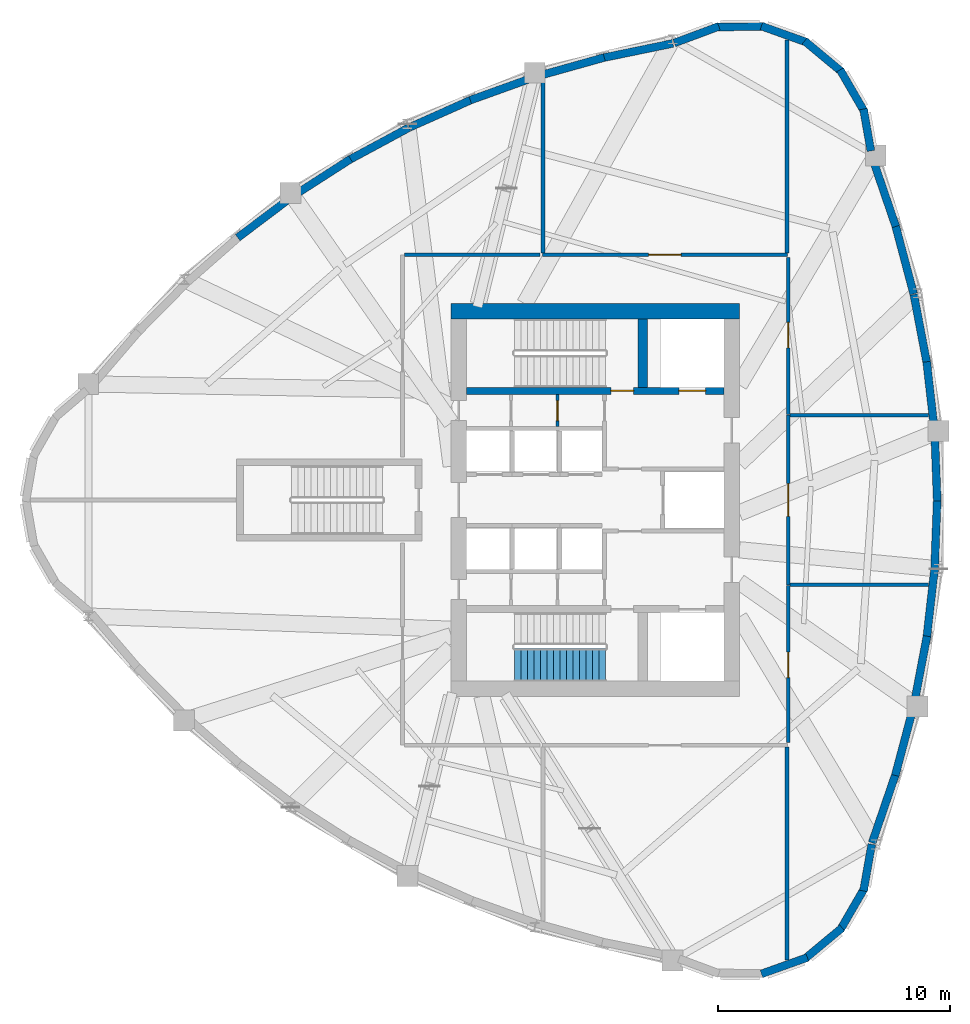
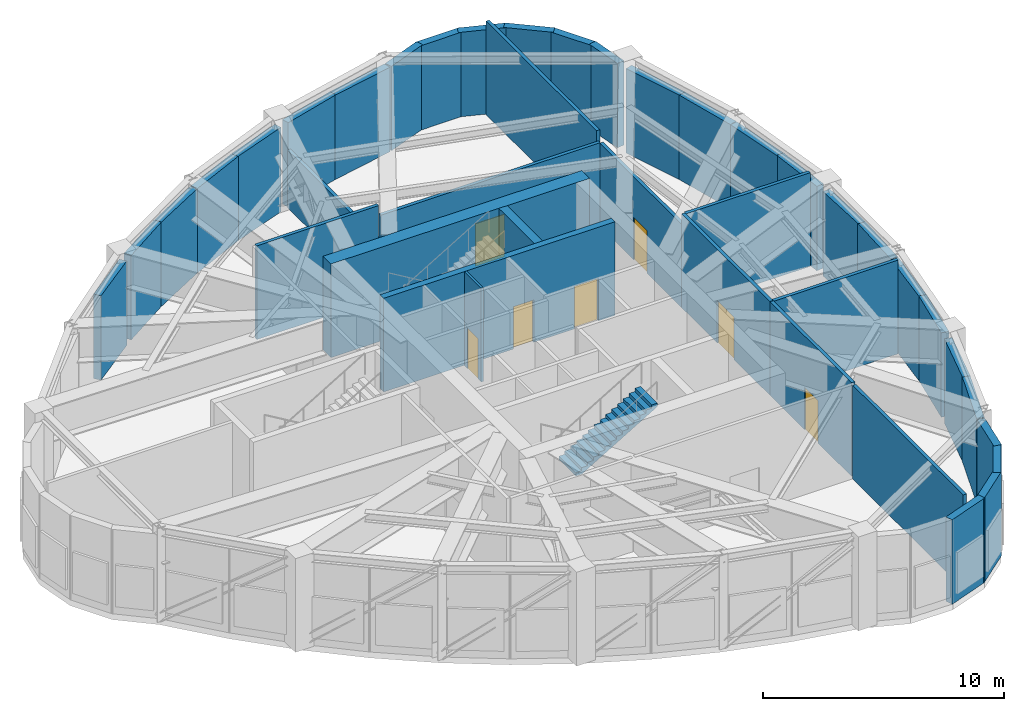
# One storey, part 5 of 9: 41 walls, 7 doors, 1 stair flight, 7 openings, 1 element without a shape of its own.
"""IFC4 building model written with IfcOpenShell, lengths in metres."""

from ifc_helpers import new_model, si_unit, direction, frame, frame_2d, origin, place, context, subcontext, project, spatial, polyline, rectangle, outline, extrude, source, transform, mapped, material, layer, layer_set, type_object, element, fill, aggregate, save


model = new_model("IFC4")

# Units and contexts
model_context = context("Model", 3, precision=1e-05, world=origin(), true_north=direction((0.0, 1.0)))
body_context = subcontext(model_context, "Body", "Model", "MODEL_VIEW")
ifc_project = project(units=[si_unit("LENGTHUNIT", "METRE"), si_unit("AREAUNIT", "SQUARE_METRE"), si_unit("VOLUMEUNIT", "CUBIC_METRE"), si_unit("PLANEANGLEUNIT", "RADIAN"), si_unit("MASSUNIT", "GRAM", prefix="KILO")], contexts=[model_context])

# Site, building, storey
site_placement = place(None, origin())
site = spatial("IfcSite", under=ifc_project, at=site_placement, CompositionType="ELEMENT")
building_placement = place(site_placement, origin())
building = spatial("IfcBuilding", under=site, at=building_placement, Name="Qafzar Sky-Pleat Residences", CompositionType="ELEMENT")
storey_placement = place(building_placement, frame((0.0, 0.0, 128.0)))
storey = spatial("IfcBuildingStorey", under=building, at=storey_placement, Name="L38", CompositionType="ELEMENT", Elevation=128.0)

# Wall, opening, door
ifc_material_1 = material(Name="Acoustic gypsum plasterboard partition", Category="gypsum")
ifc_layer_1 = layer(ifc_material_1, 0.159912109375)
ifc_layer_set_1 = layer_set([ifc_layer_1], Name="Acoustic gypsum plasterboard partition")
wall_type_1 = type_object("IfcWallType", Name="PART-COR-160", PredefinedType="PARTITIONING", material=ifc_layer_set_1)
wall_1_placement = place(storey_placement, frame((28.0849609375, 36.550048828125, 0.0), z_axis=(0.0, 0.0, 1.0), x_axis=(1.0, 0.0, 0.0)))
wall_1 = element("IfcWall", 1, at=wall_1_placement, inside=storey, type_object=wall_type_1, Name="L38 Partition Wall PART-L38-PW-001", PredefinedType="PARTITIONING", context=body_context, shape_type="SweptSolid", body=[
    extrude(rectangle(XDim=10.530029296875, YDim=0.159912109375, at=frame_2d((5.26513671875, 0.0))), origin(), (0.0, 0.0, 1.0), 4.218017578125),
])
opening_1_placement = place(wall_1_placement, frame((4.56494140625, 0.0, 0.0)))
opening_1 = element("IfcOpeningElement", 2, at=opening_1_placement, cuts=wall_1, Name="Opening ID-10", PredefinedType="OPENING", context=body_context, shape_type="SweptSolid", body=[
    extrude(rectangle(XDim=1.39990234375, YDim=2.14990234375, at=frame_2d((0.699951171875, 1.074951171875))), frame((0.0, 0.08984375, 0.0), z_axis=(0.0, -1.0, 0.0), x_axis=(1.0, 0.0, 0.0)), (0.0, 0.0, 1.0), 0.179931640625),
])
ifc_material_2 = material(Name="Timber-faced fire door", Category="wood")
door_type_1 = type_object("IfcDoorType", Name="DR-PLANT-1400", OperationType="DOUBLE_DOOR_SINGLE_SWING", PredefinedType="DOOR", material=ifc_material_2)
shared_shape_1 = source(origin(), body_context, "Body", "SweptSolid", [
    extrude(rectangle(XDim=1.39990234375, YDim=2.14990234375, at=frame_2d((0.699951171875, 1.074951171875))), frame((0.0, 0.02490234375, 0.0), z_axis=(0.0, -1.0, 0.0), x_axis=(1.0, 0.0, 0.0)), (0.0, 0.0, 1.0), 0.050048828125),
])
door_1_placement = place(opening_1_placement, origin())
door_1 = element("IfcDoor", 3, at=door_1_placement, inside=storey, type_object=door_type_1, Name="L38 Domestic Booster and Fire Pump Plant Room Door", OperationType="DOUBLE_DOOR_SINGLE_SWING", OverallHeight=2.14990234375, OverallWidth=1.39990234375, PredefinedType="DOOR", context=body_context, shape_type="MappedRepresentation", body=[
    mapped(shared_shape_1, transform((0.0, 0.0, 0.0), x_axis=(1.0, 0.0, 0.0), y_axis=(0.0, 1.0, 0.0), z_axis=(0.0, 0.0, 1.0), scale=1.0)),
])
fill(opening_1, door_1)

wall_2_placement = place(storey_placement, frame((38.64990234375, 29.6650390625, 0.0), z_axis=(0.0, 0.0, 1.0), x_axis=(0.0, -1.0, 0.0)))
wall_2 = element("IfcWall", 4, at=wall_2_placement, inside=storey, type_object=wall_type_1, Name="L38 Partition Wall PART-L38-PW-005", PredefinedType="PARTITIONING", context=body_context, shape_type="SweptSolid", body=[
    extrude(rectangle(XDim=7.330078125, YDim=0.159912109375, at=frame_2d((3.6650390625, 0.0))), origin(), (0.0, 0.0, 1.0), 4.75),
])
opening_2_placement = place(wall_2_placement, frame((2.965087890625, 0.0, 0.0)))
opening_2 = element("IfcOpeningElement", 5, at=opening_2_placement, cuts=wall_2, Name="Opening ID-10", PredefinedType="OPENING", context=body_context, shape_type="SweptSolid", body=[
    extrude(rectangle(XDim=1.39990234375, YDim=2.14990234375, at=frame_2d((0.699951171875, 1.074951171875))), frame((0.0, 0.08984375, 0.0), z_axis=(0.0, -1.0, 0.0), x_axis=(1.0, 0.0, 0.0)), (0.0, 0.0, 1.0), 0.179931640625),
])
door_2_placement = place(opening_2_placement, origin())
door_2 = element("IfcDoor", 6, at=door_2_placement, inside=storey, type_object=door_type_1, Name="L38 Pressurization and Smoke Extract Plant Door", OperationType="DOUBLE_DOOR_SINGLE_SWING", OverallHeight=2.14990234375, OverallWidth=1.39990234375, PredefinedType="DOOR", context=body_context, shape_type="MappedRepresentation", body=[
    mapped(shared_shape_1, transform((0.0, 0.0, 0.0), x_axis=(1.0, 0.0, 0.0), y_axis=(0.0, 1.0, 0.0), z_axis=(0.0, 0.0, 1.0), scale=1.0)),
])
fill(opening_2, door_2)

wall_3_placement = place(storey_placement, frame((38.64990234375, 22.320068359375, 0.0), z_axis=(0.0, 0.0, 1.0), x_axis=(0.0, -1.0, 0.0)))
wall_3 = element("IfcWall", 7, at=wall_3_placement, inside=storey, type_object=wall_type_1, Name="L38 Partition Wall PART-L38-PW-006", PredefinedType="PARTITIONING", context=body_context, shape_type="SweptSolid", body=[
    extrude(rectangle(XDim=6.76708984375, YDim=0.159912109375, at=frame_2d((3.383544921875, 0.0))), origin(), (0.0, 0.0, 1.0), 4.75),
])
opening_3_placement = place(wall_3_placement, frame((2.8701171875, 0.0, 0.0)))
opening_3 = element("IfcOpeningElement", 8, at=opening_3_placement, cuts=wall_3, Name="Opening ID-02", PredefinedType="OPENING", context=body_context, shape_type="SweptSolid", body=[
    extrude(rectangle(XDim=1.10009765625, YDim=2.14990234375, at=frame_2d((0.550048828125, 1.074951171875))), frame((0.0, 0.08984375, 0.0), z_axis=(0.0, -1.0, 0.0), x_axis=(1.0, 0.0, 0.0)), (0.0, 0.0, 1.0), 0.179931640625),
])
door_type_2 = type_object("IfcDoorType", Name="DR-FFL-1100", OperationType="NOTDEFINED", PredefinedType="DOOR", material=ifc_material_2)
shared_shape_2 = source(origin(), body_context, "Body", "SweptSolid", [
    extrude(rectangle(XDim=1.10009765625, YDim=2.14990234375, at=frame_2d((0.550048828125, 1.074951171875))), frame((0.0, 0.02490234375, 0.0), z_axis=(0.0, -1.0, 0.0), x_axis=(1.0, 0.0, 0.0)), (0.0, 0.0, 1.0), 0.050048828125),
])
door_3_placement = place(opening_3_placement, origin())
door_3 = element("IfcDoor", 9, at=door_3_placement, inside=storey, type_object=door_type_2, Name="L38 Refuge Area South Door", OperationType="SINGLE_SWING_LEFT", OverallHeight=2.14990234375, OverallWidth=1.10009765625, PredefinedType="DOOR", context=body_context, shape_type="MappedRepresentation", body=[
    mapped(shared_shape_2, transform((0.0, 0.0, 0.0), x_axis=(1.0, 0.0, 0.0), y_axis=(0.0, 1.0, 0.0), z_axis=(0.0, 0.0, 1.0), scale=1.0)),
])
fill(opening_3, door_3)

wall_4_placement = place(storey_placement, frame((38.64990234375, 36.447021484375, 0.0), z_axis=(0.0, 0.0, 1.0), x_axis=(0.0, -1.0, 0.0)))
wall_4 = element("IfcWall", 10, at=wall_4_placement, inside=storey, type_object=wall_type_1, Name="L38 Partition Wall PART-L38-PW-007", PredefinedType="PARTITIONING", context=body_context, shape_type="SweptSolid", body=[
    extrude(rectangle(XDim=6.76708984375, YDim=0.159912109375, at=frame_2d((3.383544921875, 0.0))), origin(), (0.0, 0.0, 1.0), 4.218017578125),
])
opening_4_placement = place(wall_4_placement, frame((2.797119140625, 0.0, 0.0)))
opening_4 = element("IfcOpeningElement", 11, at=opening_4_placement, cuts=wall_4, Name="Opening ID-02", PredefinedType="OPENING", context=body_context, shape_type="SweptSolid", body=[
    extrude(rectangle(XDim=1.10009765625, YDim=2.14990234375, at=frame_2d((0.550048828125, 1.074951171875))), frame((0.0, 0.08984375, 0.0), z_axis=(0.0, -1.0, 0.0), x_axis=(1.0, 0.0, 0.0)), (0.0, 0.0, 1.0), 0.179931640625),
])
door_4_placement = place(opening_4_placement, origin())
door_4 = element("IfcDoor", 12, at=door_4_placement, inside=storey, type_object=door_type_2, Name="L38 Refuge Area North Door", OperationType="SINGLE_SWING_RIGHT", OverallHeight=2.14990234375, OverallWidth=1.10009765625, PredefinedType="DOOR", context=body_context, shape_type="MappedRepresentation", body=[
    mapped(shared_shape_2, transform((0.0, 0.0, 0.0), x_axis=(1.0, 0.0, 0.0), y_axis=(0.0, 1.0, 0.0), z_axis=(0.0, 0.0, 1.0), scale=1.0)),
])
fill(opening_4, door_4)

# Walls
for number, where, z_axis, x_axis, name in (
    (13, (38.60009765625, 6.197021484375, 0.0), (0.0, 0.0, 1.0), (0.0, 1.0, 0.0), "L38 Partition Wall PART-L38-PW-008"),
    (14, (38.60009765625, 36.637939453125, 0.0), (0.0, 0.0, 1.0), (0.0, 1.0, 0.0), "L38 Partition Wall PART-L38-PW-009"),
):
    element("IfcWall", number, at=place(storey_placement, frame(where, z_axis=z_axis, x_axis=x_axis)), inside=storey, type_object=wall_type_1, Name=name, PredefinedType="PARTITIONING", context=body_context, shape_type="SweptSolid", body=[
        extrude(rectangle(XDim=9.1650390625, YDim=0.159912109375, at=frame_2d((4.58251953125, 0.0))), origin(), (0.0, 0.0, 1.0), 4.75),
    ])
wall_5_placement = place(storey_placement, frame((28.10009765625, 36.637939453125, 0.0), z_axis=(0.0, 0.0, 1.0), x_axis=(0.0, 1.0, 0.0)))
element("IfcWall", 15, at=wall_5_placement, inside=storey, type_object=wall_type_1, Name="L38 Partition Wall PART-L38-PW-011", PredefinedType="PARTITIONING", context=body_context, shape_type="SweptSolid", body=[
    extrude(rectangle(XDim=7.4833984375, YDim=0.159912109375, at=frame_2d((3.74169921875, 0.0))), origin(), (0.0, 0.0, 1.0), 2.91796875),
])
for number, where, z_axis, x_axis, name in (
    (16, (38.738037109375, 22.35009765625, 0.0), (0.0, 0.0, 1.0), (1.0, 0.0, 0.0), "L38 Partition Wall PART-L38-PW-013"),
    (17, (38.738037109375, 29.64990234375, 0.0), (0.0, 0.0, 1.0), (1.0, 0.0, 0.0), "L38 Partition Wall PART-L38-PW-014"),
):
    element("IfcWall", number, at=place(storey_placement, frame(where, z_axis=z_axis, x_axis=x_axis)), inside=storey, type_object=wall_type_1, Name=name, PredefinedType="PARTITIONING", context=body_context, shape_type="SweptSolid", body=[
        extrude(rectangle(XDim=5.948974609375, YDim=0.159912109375, at=frame_2d((2.974609375, 0.0))), origin(), (0.0, 0.0, 1.0), 4.75),
    ])
wall_6_placement = place(storey_placement, frame((22.137939453125, 36.550048828125, 0.0), z_axis=(0.0, 0.0, 1.0), x_axis=(1.0, 0.0, 0.0)))
element("IfcWall", 18, at=wall_6_placement, inside=storey, type_object=wall_type_1, Name="L38 Partition Wall PART-L38-PW-015", PredefinedType="PARTITIONING", context=body_context, shape_type="SweptSolid", body=[
    extrude(rectangle(XDim=5.843994140625, YDim=0.159912109375, at=frame_2d((2.921875, 0.0))), origin(), (0.0, 0.0, 1.0), 4.75),
])

# Wall, opening, door
ifc_material_3 = material(Name="Gypsum plasterboard partition", Category="gypsum")
ifc_layer_2 = layer(ifc_material_3, 0.114990234375)
ifc_layer_set_2 = layer_set([ifc_layer_2], Name="Gypsum plasterboard partition")
wall_type_2 = type_object("IfcWallType", Name="PART-SVC-115", PredefinedType="PARTITIONING", material=ifc_layer_set_2)
wall_7_placement = place(storey_placement, frame((28.72509765625, 29.159912109375, 0.0), z_axis=(0.0, 0.0, 1.0), x_axis=(0.0, 1.0, 0.0)))
wall_7 = element("IfcWall", 19, at=wall_7_placement, inside=storey, type_object=wall_type_2, Name="L38 Partition Wall PART-L38-KC-NW-2", PredefinedType="PARTITIONING", context=body_context, shape_type="SweptSolid", body=[
    extrude(rectangle(XDim=1.380126953125, YDim=0.114990234375, at=frame_2d((0.68994140625, 0.0))), origin(), (0.0, 0.0, 1.0), 4.75),
])
opening_5_placement = place(wall_7_placement, frame((0.260009765625, 0.0, 0.0)))
opening_5 = element("IfcOpeningElement", 20, at=opening_5_placement, cuts=wall_7, Name="Opening ID-09", PredefinedType="OPENING", context=body_context, shape_type="SweptSolid", body=[
    extrude(rectangle(XDim=0.860107421875, YDim=2.050048828125, at=frame_2d((0.43017578125, 1.02490234375))), frame((0.0, 0.0673828125, 0.0), z_axis=(0.0, -1.0, 0.0), x_axis=(1.0, 0.0, 0.0)), (0.0, 0.0, 1.0), 0.135009765625),
])
door_type_3 = type_object("IfcDoorType", Name="DR-SVC-860", OperationType="NOTDEFINED", PredefinedType="DOOR", material=ifc_material_2)
shared_shape_3 = source(origin(), body_context, "Body", "SweptSolid", [
    extrude(rectangle(XDim=0.860107421875, YDim=2.050048828125, at=frame_2d((0.43017578125, 1.02490234375))), frame((0.0, 0.02490234375, 0.0), z_axis=(0.0, -1.0, 0.0), x_axis=(1.0, 0.0, 0.0)), (0.0, 0.0, 1.0), 0.050048828125),
])
door_5_placement = place(opening_5_placement, origin())
door_5 = element("IfcDoor", 21, at=door_5_placement, inside=storey, type_object=door_type_3, Name="L38 Core North Cupboard 2 Door", OperationType="SINGLE_SWING_RIGHT", OverallHeight=2.050048828125, OverallWidth=0.860107421875, PredefinedType="DOOR", context=body_context, shape_type="MappedRepresentation", body=[
    mapped(shared_shape_3, transform((0.0, 0.0, 0.0), x_axis=(1.0, 0.0, 0.0), y_axis=(0.0, 1.0, 0.0), z_axis=(0.0, 0.0, 1.0), scale=1.0)),
])
fill(opening_5, door_5)

# Walls
ifc_material_4 = material(Name="Precast concrete C40/50 with honed Riyadh limestone", Category="concrete")
ifc_layer_3 = layer(ifc_material_4, 0.340087890625)
ifc_layer_set_3 = layer_set([ifc_layer_3], Name="Precast concrete C40/50 with honed Riyadh limestone")
wall_type_3 = type_object("IfcWallType", Name="WALL-EXT-340", PredefinedType="SOLIDWALL", material=ifc_layer_set_3)
for number, where, z_axis, x_axis, name in (
    (22, (37.501708984375, 5.601806640625, 0.0), (0.0, 0.0, 1.0), (0.941523304278, 0.336947870598, 0.0), "L38 Limestone Facade Wall 19"),
    (23, (39.361572265625, 6.242431640625, 0.0), (0.0, 0.0, 1.0), (0.768440501876, 0.639921241308, 0.0), "L38 Limestone Facade Wall 20"),
):
    element("IfcWall", number, at=place(storey_placement, frame(where, z_axis=z_axis, x_axis=x_axis)), inside=storey, type_object=wall_type_3, Name=name, PredefinedType="SOLIDWALL", context=body_context, shape_type="SweptSolid", body=[
        extrude(rectangle(XDim=2.09912109375, YDim=0.340087890625, at=frame_2d((1.049560546875, 0.0))), origin(), (0.0, 0.0, 1.0), 4.280029296875),
    ])
wall_8_placement = place(storey_placement, frame((40.88818359375, 7.483154296875, 0.0), z_axis=(0.0, 0.0, 1.0), x_axis=(0.501902596059, 0.864924149315, 0.0)))
element("IfcWall", 24, at=wall_8_placement, inside=storey, type_object=wall_type_3, Name="L38 Limestone Facade Wall 21", PredefinedType="SOLIDWALL", context=body_context, shape_type="SweptSolid", body=[
    extrude(rectangle(XDim=2.098876953125, YDim=0.340087890625, at=frame_2d((1.04931640625, 0.0))), origin(), (0.0, 0.0, 1.0), 4.280029296875),
])
wall_9_placement = place(storey_placement, frame((41.895751953125, 9.172607421875, 0.0), z_axis=(0.0, 0.0, 1.0), x_axis=(0.174399433509, 0.984674990843, 0.0)))
element("IfcWall", 25, at=wall_9_placement, inside=storey, type_object=wall_type_3, Name="L38 Limestone Facade Wall 22", PredefinedType="SOLIDWALL", context=body_context, shape_type="SweptSolid", body=[
    extrude(rectangle(XDim=2.041015625, YDim=0.340087890625, at=frame_2d((1.0205078125, 0.0))), origin(), (0.0, 0.0, 1.0), 4.280029296875),
])
wall_10_placement = place(storey_placement, frame((42.26806640625, 11.246337890625, 0.0), z_axis=(0.0, 0.0, 1.0), x_axis=(0.323583674973, 0.946199558915, 0.0)))
element("IfcWall", 26, at=wall_10_placement, inside=storey, type_object=wall_type_3, Name="L38 Limestone Facade Wall 23", PredefinedType="SOLIDWALL", context=body_context, shape_type="SweptSolid", body=[
    extrude(rectangle(XDim=3.15234375, YDim=0.340087890625, at=frame_2d((1.576171875, 0.0))), origin(), (0.0, 0.0, 1.0), 4.280029296875),
])
wall_11_placement = place(storey_placement, frame((43.2626953125, 14.14501953125, 0.0), z_axis=(0.0, 0.0, 1.0), x_axis=(0.257086792151, 0.96638831807, 0.0)))
element("IfcWall", 27, at=wall_11_placement, inside=storey, type_object=wall_type_3, Name="L38 Limestone Facade Wall 24", PredefinedType="SOLIDWALL", context=body_context, shape_type="SweptSolid", body=[
    extrude(rectangle(XDim=2.87646484375, YDim=0.340087890625, at=frame_2d((1.438232421875, 0.0))), origin(), (0.0, 0.0, 1.0), 4.280029296875),
])
wall_12_placement = place(storey_placement, frame((44.101318359375, 17.361083984375, 0.0), z_axis=(0.0, 0.0, 1.0), x_axis=(0.186739007234, 0.982409559795, 0.0)))
element("IfcWall", 28, at=wall_12_placement, inside=storey, type_object=wall_type_3, Name="L38 Limestone Facade Wall 25", PredefinedType="SOLIDWALL", context=body_context, shape_type="SweptSolid", body=[
    extrude(rectangle(XDim=2.82666015625, YDim=0.340087890625, at=frame_2d((1.413330078125, 0.0))), origin(), (0.0, 0.0, 1.0), 4.280029296875),
])
wall_13_placement = place(storey_placement, frame((44.61572265625, 20.05029296875, 0.0), z_axis=(0.0, 0.0, 1.0), x_axis=(0.113250801133, 0.993566432627, 0.0)))
element("IfcWall", 29, at=wall_13_placement, inside=storey, type_object=wall_type_3, Name="L38 Limestone Facade Wall 26", PredefinedType="SOLIDWALL", context=body_context, shape_type="SweptSolid", body=[
    extrude(rectangle(XDim=3.0029296875, YDim=0.340087890625, at=frame_2d((1.50146484375, 0.0))), origin(), (0.0, 0.0, 1.0), 4.280029296875),
])
wall_14_placement = place(storey_placement, frame((44.9580078125, 23.060791015625, 0.0), z_axis=(0.0, 0.0, 1.0), x_axis=(0.037940097137, 0.999280015326, 0.0)))
element("IfcWall", 30, at=wall_14_placement, inside=storey, type_object=wall_type_3, Name="L38 Limestone Facade Wall 27", PredefinedType="SOLIDWALL", context=body_context, shape_type="SweptSolid", body=[
    extrude(rectangle(XDim=2.98583984375, YDim=0.340087890625, at=frame_2d((1.492919921875, 0.0))), origin(), (0.0, 0.0, 1.0), 4.280029296875),
])
wall_15_placement = place(storey_placement, frame((45.0712890625, 25.95556640625, 0.0), z_axis=(0.0, 0.0, 1.0), x_axis=(-0.037997361734, 0.999277839493, 0.0)))
element("IfcWall", 31, at=wall_15_placement, inside=storey, type_object=wall_type_3, Name="L38 Limestone Facade Wall 28", PredefinedType="SOLIDWALL", context=body_context, shape_type="SweptSolid", body=[
    extrude(rectangle(XDim=2.775634765625, YDim=0.340087890625, at=frame_2d((1.3876953125, 0.0))), origin(), (0.0, 0.0, 1.0), 4.280029296875),
])
wall_16_placement = place(storey_placement, frame((44.93212890625, 29.1748046875, 0.0), z_axis=(0.0, 0.0, 1.0), x_axis=(-0.113290188042, 0.993561942354, 0.0)))
element("IfcWall", 32, at=wall_16_placement, inside=storey, type_object=wall_type_3, Name="L38 Limestone Facade Wall 29", PredefinedType="SOLIDWALL", context=body_context, shape_type="SweptSolid", body=[
    extrude(rectangle(XDim=2.79296875, YDim=0.340087890625, at=frame_2d((1.396484375, 0.0))), origin(), (0.0, 0.0, 1.0), 4.280029296875),
])
wall_17_placement = place(storey_placement, frame((44.629150390625, 31.862060546875, 0.0), z_axis=(0.0, 0.0, 1.0), x_axis=(-0.186690909565, 0.982418701108, 0.0)))
element("IfcWall", 33, at=wall_17_placement, inside=storey, type_object=wall_type_3, Name="L38 Limestone Facade Wall 30", PredefinedType="SOLIDWALL", context=body_context, shape_type="SweptSolid", body=[
    extrude(rectangle(XDim=3.03662109375, YDim=0.340087890625, at=frame_2d((1.518310546875, 0.0))), origin(), (0.0, 0.0, 1.0), 4.280029296875),
])
wall_18_placement = place(storey_placement, frame((44.05615234375, 34.872314453125, 0.0), z_axis=(0.0, 0.0, 1.0), x_axis=(-0.257081647056, 0.966389686797, 0.0)))
element("IfcWall", 34, at=wall_18_placement, inside=storey, type_object=wall_type_3, Name="L38 Limestone Facade Wall 31", PredefinedType="SOLIDWALL", context=body_context, shape_type="SweptSolid", body=[
    extrude(rectangle(XDim=3.08642578125, YDim=0.340087890625, at=frame_2d((1.543212890625, 0.0))), origin(), (0.0, 0.0, 1.0), 4.280029296875),
])
wall_19_placement = place(storey_placement, frame((43.2880859375, 37.77099609375, 0.0), z_axis=(0.0, 0.0, 1.0), x_axis=(-0.323537149191, 0.94621546864, 0.0)))
element("IfcWall", 35, at=wall_19_placement, inside=storey, type_object=wall_type_3, Name="L38 Limestone Facade Wall 32", PredefinedType="SOLIDWALL", context=body_context, shape_type="SweptSolid", body=[
    extrude(rectangle(XDim=2.942138671875, YDim=0.340087890625, at=frame_2d((1.47119140625, 0.0))), origin(), (0.0, 0.0, 1.0), 4.280029296875),
])
wall_20_placement = place(storey_placement, frame((42.215087890625, 41.0244140625, 0.0), z_axis=(0.0, 0.0, 1.0), x_axis=(-0.17440141227, 0.984674640375, 0.0)))
element("IfcWall", 36, at=wall_20_placement, inside=storey, type_object=wall_type_3, Name="L38 Limestone Facade Wall 33", PredefinedType="SOLIDWALL", context=body_context, shape_type="SweptSolid", body=[
    extrude(rectangle(XDim=1.8310546875, YDim=0.340087890625, at=frame_2d((0.91552734375, 0.0))), origin(), (0.0, 0.0, 1.0), 4.280029296875),
])
wall_21_placement = place(storey_placement, frame((41.941650390625, 42.701416015625, 0.0), z_axis=(0.0, 0.0, 1.0), x_axis=(-0.501902596059, 0.864924149315, 0.0)))
element("IfcWall", 37, at=wall_21_placement, inside=storey, type_object=wall_type_3, Name="L38 Limestone Facade Wall 34", PredefinedType="SOLIDWALL", context=body_context, shape_type="SweptSolid", body=[
    extrude(rectangle(XDim=2.098876953125, YDim=0.340087890625, at=frame_2d((1.04931640625, 0.0))), origin(), (0.0, 0.0, 1.0), 4.280029296875),
])
for number, where, z_axis, x_axis, name in (
    (38, (40.974609375, 44.414306640625, 0.0), (0.0, 0.0, 1.0), (-0.768440501876, 0.639921241308, 0.0), "L38 Limestone Facade Wall 35"),
    (39, (39.47802734375, 45.69091796875, 0.0), (0.0, 0.0, 1.0), (-0.941523304278, 0.336947870598, 0.0), "L38 Limestone Facade Wall 36"),
    (40, (37.634033203125, 46.375732421875, 0.0), (0.0, 0.0, 1.0), (-0.999976456891, -0.00686189939, 0.0), "L38 Limestone Facade Wall 37"),
):
    element("IfcWall", number, at=place(storey_placement, frame(where, z_axis=z_axis, x_axis=x_axis)), inside=storey, type_object=wall_type_3, Name=name, PredefinedType="SOLIDWALL", context=body_context, shape_type="SweptSolid", body=[
        extrude(rectangle(XDim=2.09912109375, YDim=0.340087890625, at=frame_2d((1.049560546875, 0.0))), origin(), (0.0, 0.0, 1.0), 4.280029296875),
    ])
wall_22_placement = place(storey_placement, frame((35.6669921875, 46.3857421875, 0.0), z_axis=(0.0, 0.0, 1.0), x_axis=(-0.936761017964, -0.34996970615, 0.0)))
element("IfcWall", 41, at=wall_22_placement, inside=storey, type_object=wall_type_3, Name="L38 Limestone Facade Wall 38", PredefinedType="SOLIDWALL", context=body_context, shape_type="SweptSolid", body=[
    extrude(rectangle(XDim=2.041259765625, YDim=0.340087890625, at=frame_2d((1.0205078125, 0.0))), origin(), (0.0, 0.0, 1.0), 4.280029296875),
])
wall_23_placement = place(storey_placement, frame((33.69140625, 45.6533203125, 0.0), z_axis=(0.0, 0.0, 1.0), x_axis=(-0.979414063846, -0.201861565287, 0.0)))
element("IfcWall", 42, at=wall_23_placement, inside=storey, type_object=wall_type_3, Name="L38 Limestone Facade Wall 39", PredefinedType="SOLIDWALL", context=body_context, shape_type="SweptSolid", body=[
    extrude(rectangle(XDim=3.103515625, YDim=0.340087890625, at=frame_2d((1.5517578125, 0.0))), origin(), (0.0, 0.0, 1.0), 4.280029296875),
])
wall_24_placement = place(storey_placement, frame((30.7373046875, 45.047607421875, 0.0), z_axis=(0.0, 0.0, 1.0), x_axis=(-0.963026728711, -0.26940586443, 0.0)))
element("IfcWall", 43, at=wall_24_placement, inside=storey, type_object=wall_type_3, Name="L38 Limestone Facade Wall 40", PredefinedType="SOLIDWALL", context=body_context, shape_type="SweptSolid", body=[
    extrude(rectangle(XDim=2.8291015625, YDim=0.340087890625, at=frame_2d((1.41455078125, 0.0))), origin(), (0.0, 0.0, 1.0), 4.280029296875),
])
wall_25_placement = place(storey_placement, frame((27.58642578125, 44.1494140625, 0.0), z_axis=(0.0, 0.0, 1.0), x_axis=(-0.941112277287, -0.338094190338, 0.0)))
element("IfcWall", 44, at=wall_25_placement, inside=storey, type_object=wall_type_3, Name="L38 Limestone Facade Wall 41", PredefinedType="SOLIDWALL", context=body_context, shape_type="SweptSolid", body=[
    extrude(rectangle(XDim=2.779296875, YDim=0.340087890625, at=frame_2d((1.3896484375, 0.0))), origin(), (0.0, 0.0, 1.0), 4.280029296875),
])
wall_26_placement = place(storey_placement, frame((25.052978515625, 43.24267578125, 0.0), z_axis=(0.0, 0.0, 1.0), x_axis=(-0.91339900063, -0.407065431655, 0.0)))
element("IfcWall", 45, at=wall_26_placement, inside=storey, type_object=wall_type_3, Name="L38 Limestone Facade Wall 42", PredefinedType="SOLIDWALL", context=body_context, shape_type="SweptSolid", body=[
    extrude(rectangle(XDim=2.956298828125, YDim=0.340087890625, at=frame_2d((1.47802734375, 0.0))), origin(), (0.0, 0.0, 1.0), 4.280029296875),
])
wall_27_placement = place(storey_placement, frame((22.328369140625, 42.027099609375, 0.0), z_axis=(0.0, 0.0, 1.0), x_axis=(-0.880092136679, -0.474802939077, 0.0)))
element("IfcWall", 46, at=wall_27_placement, inside=storey, type_object=wall_type_3, Name="L38 Limestone Facade Wall 43", PredefinedType="SOLIDWALL", context=body_context, shape_type="SweptSolid", body=[
    extrude(rectangle(XDim=2.939697265625, YDim=0.340087890625, at=frame_2d((1.4697265625, 0.0))), origin(), (0.0, 0.0, 1.0), 4.280029296875),
])
wall_28_placement = place(storey_placement, frame((19.81787109375, 40.676513671875, 0.0), z_axis=(0.0, 0.0, 1.0), x_axis=(-0.841503814414, -0.540251173369, 0.0)))
element("IfcWall", 47, at=wall_28_placement, inside=storey, type_object=wall_type_3, Name="L38 Limestone Facade Wall 44", PredefinedType="SOLIDWALL", context=body_context, shape_type="SweptSolid", body=[
    extrude(rectangle(XDim=2.7294921875, YDim=0.340087890625, at=frame_2d((1.36474609375, 0.0))), origin(), (0.0, 0.0, 1.0), 4.280029296875),
])
wall_29_placement = place(storey_placement, frame((17.154296875, 38.946533203125, 0.0), z_axis=(0.0, 0.0, 1.0), x_axis=(-0.798332692302, -0.602216665663, 0.0)))
element("IfcWall", 48, at=wall_29_placement, inside=storey, type_object=wall_type_3, Name="L38 Limestone Facade Wall 45", PredefinedType="SOLIDWALL", context=body_context, shape_type="SweptSolid", body=[
    extrude(rectangle(XDim=2.74609375, YDim=0.340087890625, at=frame_2d((1.373046875, 0.0))), origin(), (0.0, 0.0, 1.0), 4.280029296875),
])

# Wall, openings, doors
ifc_material_5 = material(Name="Concrete C60/75", Category="concrete")
ifc_layer_4 = layer(ifc_material_5, 0.300048828125)
ifc_layer_set_4 = layer_set([ifc_layer_4], Name="Concrete C60/75")
wall_type_4 = type_object("IfcWallType", Name="WALL-SHEAR-300", PredefinedType="SHEAR", material=ifc_layer_set_4)
wall_30_placement = place(storey_placement, frame((24.800048828125, 30.699951171875, 0.0), z_axis=(0.0, 0.0, 1.0), x_axis=(1.0, 0.0, 0.0)))
wall_30 = element("IfcWall", 49, at=wall_30_placement, inside=storey, type_object=wall_type_4, Name="L38 Stair ST2 and FF2 Shaft South Wall", PredefinedType="SHEAR", context=body_context, shape_type="SweptSolid", body=[
    extrude(rectangle(XDim=11.099853515625, YDim=0.300048828125, at=frame_2d((5.5498046875, 0.0))), origin(), (0.0, 0.0, 1.0), 4.75),
])
opening_6_placement = place(wall_30_placement, frame((6.219970703125, 0.0, 0.0)))
opening_6 = element("IfcOpeningElement", 50, at=opening_6_placement, cuts=wall_30, Name="Opening ID-01", PredefinedType="OPENING", context=body_context, shape_type="SweptSolid", body=[
    extrude(rectangle(XDim=0.97998046875, YDim=2.14990234375, at=frame_2d((0.489990234375, 1.074951171875))), frame((0.0, 0.16015625, 0.0), z_axis=(0.0, -1.0, 0.0), x_axis=(1.0, 0.0, 0.0)), (0.0, 0.0, 1.0), 0.320068359375),
])
opening_7_placement = place(wall_30_placement, frame((9.14990234375, 0.0, 0.0)))
opening_7 = element("IfcOpeningElement", 51, at=opening_7_placement, cuts=wall_30, Name="Opening LD-02", PredefinedType="OPENING", context=body_context, shape_type="SweptSolid", body=[
    extrude(rectangle(XDim=1.14990234375, YDim=2.14990234375, at=frame_2d((0.574951171875, 1.074951171875))), frame((0.0, 0.16015625, 0.0), z_axis=(0.0, -1.0, 0.0), x_axis=(1.0, 0.0, 0.0)), (0.0, 0.0, 1.0), 0.320068359375),
])
door_type_4 = type_object("IfcDoorType", Name="DR-STAIR-980", OperationType="NOTDEFINED", PredefinedType="DOOR", material=ifc_material_2)
shared_shape_4 = source(origin(), body_context, "Body", "SweptSolid", [
    extrude(rectangle(XDim=0.97998046875, YDim=2.14990234375, at=frame_2d((0.489990234375, 1.074951171875))), frame((0.0, 0.02490234375, 0.0), z_axis=(0.0, -1.0, 0.0), x_axis=(1.0, 0.0, 0.0)), (0.0, 0.0, 1.0), 0.050048828125),
])
door_6_placement = place(opening_6_placement, origin())
door_6 = element("IfcDoor", 52, at=door_6_placement, inside=storey, type_object=door_type_4, Name="L38 Stair ST2 Fire Door", OperationType="SINGLE_SWING_LEFT", OverallHeight=2.14990234375, OverallWidth=0.97998046875, PredefinedType="DOOR", context=body_context, shape_type="MappedRepresentation", body=[
    mapped(shared_shape_4, transform((0.0, 0.0, 0.0), x_axis=(1.0, 0.0, 0.0), y_axis=(0.0, 1.0, 0.0), z_axis=(0.0, 0.0, 1.0), scale=1.0)),
])
fill(opening_6, door_6)
ifc_material_6 = material(Name="Stainless steel sliding landing door", Category="steel")
door_type_5 = type_object("IfcDoorType", Name="DR-LIFT-FF", OperationType="DOUBLE_DOOR_SLIDING", PredefinedType="DOOR", material=ifc_material_6)
shared_shape_5 = source(origin(), body_context, "Body", "SweptSolid", [
    extrude(rectangle(XDim=1.14990234375, YDim=2.14990234375, at=frame_2d((0.574951171875, 1.074951171875))), frame((0.0, 0.02490234375, 0.0), z_axis=(0.0, -1.0, 0.0), x_axis=(1.0, 0.0, 0.0)), (0.0, 0.0, 1.0), 0.050048828125),
])
door_7_placement = place(opening_7_placement, origin())
door_7 = element("IfcDoor", 53, at=door_7_placement, inside=storey, type_object=door_type_5, Name="L38 Firefighting Lift FF2 Landing Door", OperationType="DOUBLE_DOOR_SLIDING", OverallHeight=2.14990234375, OverallWidth=1.14990234375, PredefinedType="DOOR", context=body_context, shape_type="MappedRepresentation", body=[
    mapped(shared_shape_5, transform((0.0, 0.0, 0.0), x_axis=(1.0, 0.0, 0.0), y_axis=(0.0, 1.0, 0.0), z_axis=(0.0, 0.0, 1.0), scale=1.0)),
])
fill(opening_7, door_7)

# Walls
ifc_layer_5 = layer(ifc_material_5, 0.39990234375)
ifc_layer_set_5 = layer_set([ifc_layer_5], Name="Concrete C60/75")
wall_type_5 = type_object("IfcWallType", Name="WALL-SHEAR-400", PredefinedType="SHEAR", material=ifc_layer_set_5)
wall_31_placement = place(storey_placement, frame((32.39990234375, 30.85009765625, 0.0), z_axis=(0.0, 0.0, 1.0), x_axis=(0.0, 1.0, 0.0)))
element("IfcWall", 54, at=wall_31_placement, inside=storey, type_object=wall_type_5, Name="L38 Stair ST2 East Dividing Wall", PredefinedType="SHEAR", context=body_context, shape_type="SweptSolid", body=[
    extrude(rectangle(XDim=2.949951171875, YDim=0.39990234375, at=frame_2d((1.47509765625, 0.0))), origin(), (0.0, 0.0, 1.0), 4.75),
])
ifc_layer_6 = layer(ifc_material_5, 0.64990234375)
ifc_layer_set_6 = layer_set([ifc_layer_6], Name="Concrete C60/75")
wall_type_6 = type_object("IfcWallType", Name="WALL-SHEAR-650", PredefinedType="SHEAR", material=ifc_layer_set_6)
wall_32_placement = place(storey_placement, frame((36.550048828125, 34.125, 0.0), z_axis=(0.0, 0.0, 1.0), x_axis=(-1.0, 0.0, 0.0)))
element("IfcWall", 55, at=wall_32_placement, inside=storey, type_object=wall_type_6, Name="L38 CORE wall N", PredefinedType="SHEAR", context=body_context, shape_type="SweptSolid", body=[
    extrude(rectangle(XDim=12.400146484375, YDim=0.64990234375, at=frame_2d((6.2001953125, 0.0))), origin(), (0.0, 0.0, 1.0), 4.75),
])

# Stair, stair flight
ifc_material_7 = material(Name="Concrete C40/50", Category="concrete")
stair_type = type_object("IfcStairType", Name="STAIR-H500", PredefinedType="HALF_TURN_STAIR", material=ifc_material_7)
stair_placement = place(storey_placement, origin())
stair = element("IfcStair", 56, at=stair_placement, inside=storey, type_object=stair_type, Name="L38 Protected Exit Stair ST1", PredefinedType="HALF_TURN_STAIR")
stair_flight_type = type_object("IfcStairFlightType", Name="FLIGHT-H500", PredefinedType="STRAIGHT", material=ifc_material_7)
shared_shape_6 = source(origin(), body_context, "Body", "SweptSolid", [
    extrude(outline(polyline([(0.0, 0.0), (0.0, 0.166748046875), (0.280029296875, 0.166748046875), (0.280029296875, 0.333251953125), (0.56005859375, 0.333251953125), (0.56005859375, 0.5), (0.840087890625, 0.5), (0.840087890625, 0.666748046875), (1.1201171875, 0.666748046875), (1.1201171875, 0.833251953125), (1.39990234375, 0.833251953125), (1.39990234375, 1.0), (1.679931640625, 1.0), (1.679931640625, 1.166748046875), (1.9599609375, 1.166748046875), (1.9599609375, 1.333251953125), (2.239990234375, 1.333251953125), (2.239990234375, 1.5), (2.52001953125, 1.5), (2.52001953125, 1.666748046875), (2.800048828125, 1.666748046875), (2.800048828125, 1.833251953125), (3.080078125, 1.833251953125), (3.080078125, 2.0), (3.360107421875, 2.0), (3.360107421875, 2.166748046875), (3.639892578125, 2.166748046875), (3.639892578125, 2.333251953125), (3.919921875, 2.333251953125), (3.919921875, 2.5), (3.919921875, 2.158935546875), (0.29296875, 0.0), (0.0, 0.0)])), frame((0.0, 0.699951171875, 0.0), z_axis=(0.0, -1.0, 0.0), x_axis=(1.0, 0.0, 0.0)), (0.0, 0.0, 1.0), 1.39990234375),
])
stair_flight_placement = place(storey_placement, frame((26.8798828125, 18.89990234375, 2.5), z_axis=(0.0, 0.0, 1.0), x_axis=(1.0, 0.0, 0.0)))
stair_flight = element("IfcStairFlight", 57, at=stair_flight_placement, type_object=stair_flight_type, Name="ST1 flight 2", NumberOfRisers=15, NumberOfTreads=14, PredefinedType="STRAIGHT", RiserHeight=0.166666667, TreadLength=0.28, context=body_context, shape_type="MappedRepresentation", body=[
    mapped(shared_shape_6, transform((0.0, 0.0, 0.0), x_axis=(1.0, 0.0, 0.0), y_axis=(0.0, 1.0, 0.0), z_axis=(0.0, 0.0, 1.0), scale=1.0)),
])
aggregate(stair, [stair_flight])

save(model, "model.ifc")
